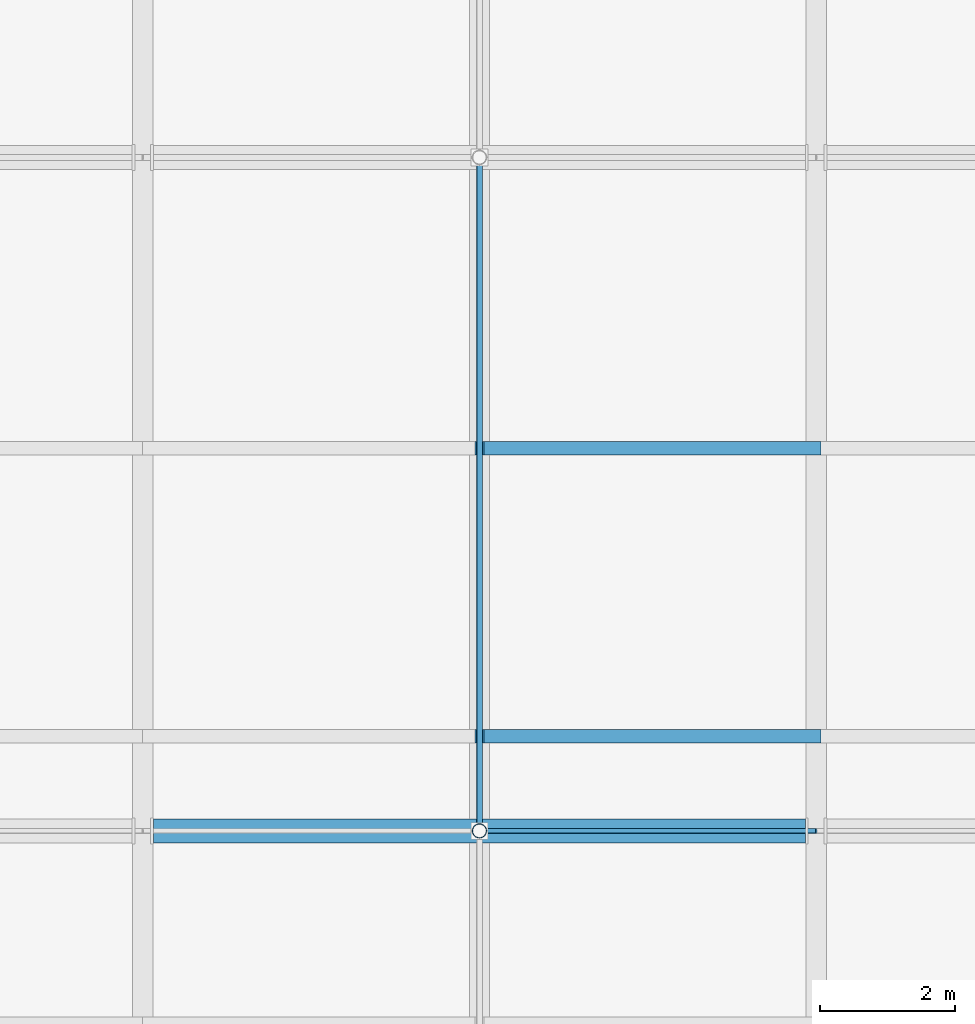
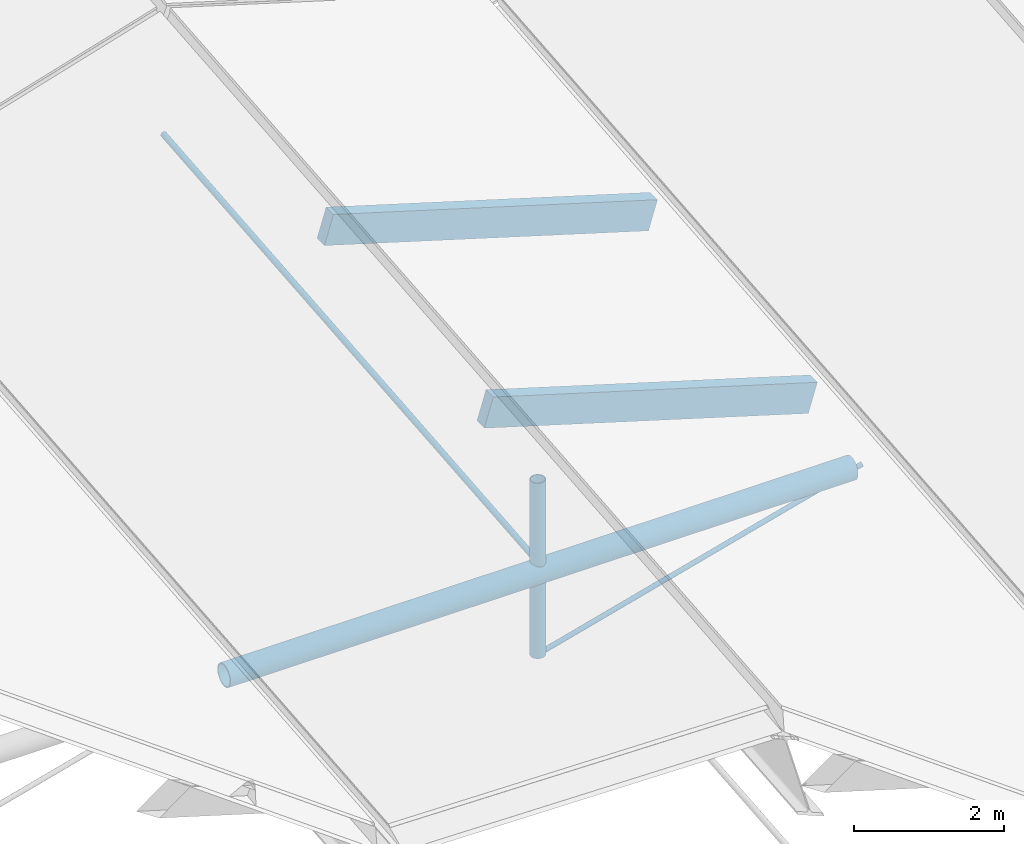
# One storey, part 36 of 90: 5 members, 1 beam.
"""IFC4 building model written with IfcOpenShell, lengths in metres."""

from ifc_helpers import new_model, si_unit, direction, frame, origin, origin_2d, place, context, subcontext, project, spatial, rectangle, circle, hollow_circle, extrude, material, material_profile, profile_set, type_object, element, save


model = new_model("IFC4")

# Units and contexts
model_context = context("Model", 3, precision=1e-05, world=origin(), true_north=direction((0.0, 1.0)))
body_context = subcontext(model_context, "Body", "Model", "MODEL_VIEW")
ifc_project = project(units=[si_unit("LENGTHUNIT", "METRE"), si_unit("AREAUNIT", "SQUARE_METRE"), si_unit("VOLUMEUNIT", "CUBIC_METRE"), si_unit("PLANEANGLEUNIT", "RADIAN"), si_unit("MASSUNIT", "GRAM", prefix="KILO"), si_unit("THERMODYNAMICTEMPERATUREUNIT", "KELVIN"), si_unit("POWERUNIT", "WATT")], contexts=[model_context])

# Site, building, storey
site_placement = place(None, origin())
site = spatial("IfcSite", under=ifc_project, at=site_placement, CompositionType="ELEMENT")
building_placement = place(site_placement, origin())
building = spatial("IfcBuilding", under=site, at=building_placement, Name="Korenveer Ferry Terminal", CompositionType="ELEMENT")
storey_placement = place(building_placement, frame((0.0, 0.0, 22.199951171875)))
storey = spatial("IfcBuildingStorey", under=building, at=storey_placement, Name="RF", CompositionType="ELEMENT", Elevation=22.199951171875)

# Members
ifc_material_1 = material(Name="High-strength steel S460", Category="steel")
ifc_material_profile_1 = material_profile(ifc_material_1, circle(Radius=0.0380859375, at=origin_2d()), Name="ROD D76")
ifc_profile_set_1 = profile_set([ifc_material_profile_1], Name="High-strength steel S460")
member_type_1 = type_object("IfcMemberType", Name="STR-CBL-D76", PredefinedType="USERDEFINED", material=ifc_profile_set_1)
member_1_placement = place(storey_placement, frame((103.0, 70.0, -6.861572265625), z_axis=(-0.965424337217, 0.0, -0.260683426993), x_axis=(0.0, -1.0, 0.0)))
element("IfcMember", 1, at=member_1_placement, inside=storey, type_object=member_type_1, Name="Roof tension tie cable 52", ObjectType="CABLE", PredefinedType="USERDEFINED", context=body_context, shape_type="SweptSolid", body=[
    extrude(circle(Radius=0.0380859375, at=origin_2d()), origin(), (0.0, 0.0, 1.0), 5.178955078125),
])
ifc_material_profile_2 = material_profile(ifc_material_1, circle(Radius=0.044921875, at=origin_2d()), Name="ROD D90")
ifc_profile_set_2 = profile_set([ifc_material_profile_2], Name="High-strength steel S460")
member_type_2 = type_object("IfcMemberType", Name="STR-CBL-D90", PredefinedType="USERDEFINED", material=ifc_profile_set_2)
member_2_placement = place(storey_placement, frame((98.0, 70.0, -6.701904296875), z_axis=(0.0, 0.995903364261, 0.090423940715), x_axis=(-1.0, 0.0, 0.0)))
element("IfcMember", 2, at=member_2_placement, inside=storey, type_object=member_type_2, Name="Longitudinal jaw-stay cable 121", ObjectType="CABLE", PredefinedType="USERDEFINED", context=body_context, shape_type="SweptSolid", body=[
    extrude(circle(Radius=0.044921875, at=origin_2d()), origin(), (0.0, 0.0, 1.0), 10.041015625),
])
ifc_material_2 = material(Name="Glulam GL28h", Category="wood")
ifc_material_profile_3 = material_profile(ifc_material_2, rectangle(XDim=0.199951171875, YDim=0.47998046875, at=origin_2d()), Name="GL 200x480")
ifc_profile_set_3 = profile_set([ifc_material_profile_3], Name="Glulam GL28h")
member_type_3 = type_object("IfcMemberType", Name="STR-PUR-GL200", PredefinedType="PURLIN", material=ifc_profile_set_3)
for number, where, z_axis, x_axis, name in (
    (3, (98.0, 71.4072265625, -5.06591796875), (0.957323074362, 0.0, -0.289019949647), (0.0, 1.0, 0.0), "Folded roof glulam purlin 167"),
    (4, (98.0, 75.678466796875, -4.677978515625), (0.957310140112, 0.0, -0.289062788401), (0.0, 1.0, 0.0), "Folded roof glulam purlin 168"),
):
    element("IfcMember", number, at=place(storey_placement, frame(where, z_axis=z_axis, x_axis=x_axis)), inside=storey, type_object=member_type_3, Name=name, PredefinedType="PURLIN", context=body_context, shape_type="SweptSolid", body=[
        extrude(rectangle(XDim=0.199951171875, YDim=0.47998046875, at=origin_2d()), origin(), (0.0, 0.0, 1.0), 5.222900390625),
    ])

# Beam
ifc_material_3 = material(Name="Steel S355", Category="steel")
ifc_material_profile_4 = material_profile(ifc_material_3, hollow_circle(Radius=0.177734375, WallThickness=0.01611328125, at=origin_2d()), Name="CHS 355.6x16")
ifc_profile_set_4 = profile_set([ifc_material_profile_4], Name="Steel S355")
beam_type = type_object("IfcBeamType", Name="STR-RFG-CHS355", PredefinedType="USERDEFINED", material=ifc_profile_set_4)
beam_placement = place(storey_placement, frame((93.159912109375, 70.0, -6.861572265625), z_axis=(1.0, 0.0, 0.0), x_axis=(0.0, 1.0, 0.0)))
element("IfcBeam", 5, at=beam_placement, inside=storey, type_object=beam_type, Name="Roof transverse tie girder 114", ObjectType="ROOF GIRDER", PredefinedType="USERDEFINED", context=body_context, shape_type="SweptSolid", body=[
    extrude(hollow_circle(Radius=0.177734375, WallThickness=0.01611328125, at=origin_2d()), origin(), (0.0, 0.0, 1.0), 9.68017578125),
])

# Member
ifc_material_profile_5 = material_profile(ifc_material_3, hollow_circle(Radius=0.109619140625, WallThickness=0.012451171875, at=origin_2d()), Name="CHS 219.1x12.5")
ifc_profile_set_5 = profile_set([ifc_material_profile_5], Name="Steel S355")
member_type_4 = type_object("IfcMemberType", Name="STR-STT-CHS219", PredefinedType="STRUT", material=ifc_profile_set_5)
member_3_placement = place(storey_placement, frame((98.0, 70.0, -8.211669921875), z_axis=(0.0, 0.0, 1.0), x_axis=(1.0, 0.0, 0.0)))
element("IfcMember", 6, at=member_3_placement, inside=storey, type_object=member_type_4, Name="Roof king-post strut STTKP-Y70-B4", PredefinedType="STRUT", context=body_context, shape_type="SweptSolid", body=[
    extrude(hollow_circle(Radius=0.109619140625, WallThickness=0.012451171875, at=origin_2d()), origin(), (0.0, 0.0, 1.0), 2.859619140625),
])

save(model, "model.ifc")
